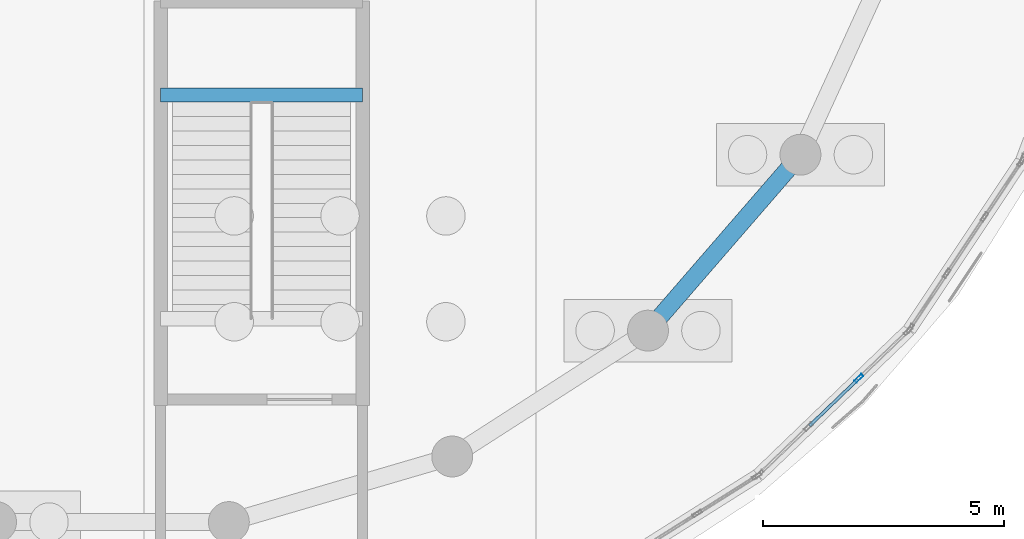
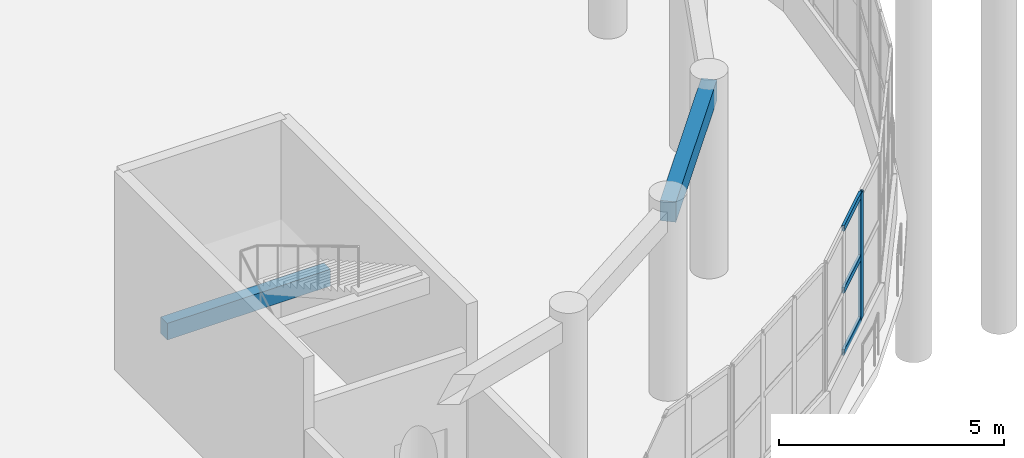
# One storey, part 28 of 96: 4 members, 2 beams, 1 element without a shape of its own.
"""IFC4 building model written with IfcOpenShell, lengths in metres."""

from ifc_helpers import new_model, si_unit, direction, frame, origin, origin_2d, place, context, subcontext, project, spatial, rectangle, hollow_rectangle, extrude, material, layer, layer_set, material_profile, profile_set, type_object, element, aggregate, save


model = new_model("IFC4")

# Units and contexts
model_context = context("Model", 3, precision=1e-05, world=origin(), true_north=direction((0.0, 1.0)))
body_context = subcontext(model_context, "Body", "Model", "MODEL_VIEW")
ifc_project = project(units=[si_unit("LENGTHUNIT", "METRE"), si_unit("AREAUNIT", "SQUARE_METRE"), si_unit("VOLUMEUNIT", "CUBIC_METRE"), si_unit("PLANEANGLEUNIT", "RADIAN"), si_unit("MASSUNIT", "GRAM", prefix="KILO")], contexts=[model_context])

# Site, building, storey
site_placement = place(None, origin())
site = spatial("IfcSite", under=ifc_project, at=site_placement, CompositionType="ELEMENT")
building_placement = place(site_placement, origin())
building = spatial("IfcBuilding", under=site, at=building_placement, Name="Pelvatis Terrace Science Centre", CompositionType="ELEMENT")
storey_placement = place(building_placement, origin())
storey = spatial("IfcBuildingStorey", under=building, at=storey_placement, Name="L00", CompositionType="ELEMENT", Elevation=0.0)

# Beams
ifc_material_1 = material(Name="Concrete C35/45", Category="concrete")
ifc_material_profile_1 = material_profile(ifc_material_1, rectangle(XDim=0.300048828125, YDim=0.449951171875, at=origin_2d()), Name="RC-BM 300x450")
ifc_profile_set_1 = profile_set([ifc_material_profile_1], Name="Concrete C35/45")
beam_type_1 = type_object("IfcBeamType", Name="BM-RC-300x450", PredefinedType="BEAM", material=ifc_profile_set_1)
beam_1_placement = place(storey_placement, frame((79.0, 46.64990234375, 2.260009765625), z_axis=(1.0, 0.0, 0.0), x_axis=(0.0, 1.0, 0.0)))
element("IfcBeam", 1, at=beam_1_placement, inside=storey, type_object=beam_type_1, Name="Stair ST-06 half-landing beam (L00)", PredefinedType="BEAM", context=body_context, shape_type="SweptSolid", body=[
    extrude(rectangle(XDim=0.300048828125, YDim=0.449951171875, at=origin_2d()), origin(), (0.0, 0.0, 1.0), 4.199951171875),
])
ifc_material_2 = material(Name="Concrete C35/45", Category="concrete")
ifc_material_profile_2 = material_profile(ifc_material_2, rectangle(XDim=0.360107421875, YDim=0.550048828125, at=origin_2d()), Name="RC-BM 360x550")
ifc_profile_set_2 = profile_set([ifc_material_profile_2], Name="Concrete C35/45")
beam_type_2 = type_object("IfcBeamType", Name="BM-RC-360x550", PredefinedType="BEAM", material=ifc_profile_set_2)
beam_2_placement = place(storey_placement, frame((89.132568359375, 41.752197265625, 4.864990234375), z_axis=(0.654849858597, 0.75575899776, 0.0), x_axis=(-0.75575899776, 0.654849858597, 0.0)))
element("IfcBeam", 2, at=beam_2_placement, inside=storey, type_object=beam_type_2, Name="Beam BM-L00-2217", PredefinedType="BEAM", context=body_context, shape_type="SweptSolid", body=[
    extrude(rectangle(XDim=0.360107421875, YDim=0.550048828125, at=origin_2d()), origin(), (0.0, 0.0, 1.0), 4.8388671875),
])

# Curtain wall, members
ifc_material_3 = material(Name="Bronze-anodised aluminium and laminated glass", Category="aluminium")
ifc_layer = layer(ifc_material_3, 0.199951171875)
ifc_layer_set = layer_set([ifc_layer], Name="Bronze-anodised aluminium and laminated glass")
curtain_wall_type = type_object("IfcCurtainWallType", Name="CW-RIBBON-B", PredefinedType="NOTDEFINED", material=ifc_layer_set)
curtain_wall_placement = place(storey_placement, origin())
curtain_wall = element("IfcCurtainWall", 3, at=curtain_wall_placement, inside=storey, type_object=curtain_wall_type, Name="Ribbon curtain wall CW-056 (L00)", PredefinedType="NOTDEFINED")
ifc_material_4 = material(Name="Bronze-anodised aluminium 6063-T6", Category="aluminium")
ifc_material_profile_3 = material_profile(ifc_material_4, hollow_rectangle(XDim=0.06494140625, YDim=0.199951171875, WallThickness=0.00439453125, at=origin_2d()), Name="ALU-MUL 65x200")
ifc_profile_set_3 = profile_set([ifc_material_profile_3], Name="Bronze-anodised aluminium 6063-T6")
member_type_1 = type_object("IfcMemberType", Name="CWM-65x200", PredefinedType="MULLION", material=ifc_profile_set_3)
member_1_placement = place(storey_placement, frame((93.515625, 40.76025390625, 1.02001953125), z_axis=(0.0, 0.0, 1.0), x_axis=(-0.693369132291, 0.720582574301, 0.0)))
member_1 = element("IfcMember", 4, at=member_1_placement, type_object=member_type_1, Name="CW-056 mullion 3", PredefinedType="MULLION", context=body_context, shape_type="SweptSolid", body=[
    extrude(hollow_rectangle(XDim=0.06494140625, YDim=0.199951171875, WallThickness=0.00439453125, at=origin_2d()), origin(), (0.0, 0.0, 1.0), 3.43994140625),
])
ifc_material_5 = material(Name="Bronze-anodised aluminium 6063-T6", Category="aluminium")
ifc_material_profile_4 = material_profile(ifc_material_5, hollow_rectangle(XDim=0.06494140625, YDim=0.159912109375, WallThickness=0.00390625, at=origin_2d()), Name="ALU-TRN 65x160")
ifc_profile_set_4 = profile_set([ifc_material_profile_4], Name="Bronze-anodised aluminium 6063-T6")
member_type_2 = type_object("IfcMemberType", Name="CWT-65x160", PredefinedType="USERDEFINED", material=ifc_profile_set_4)
member_2_placement = place(storey_placement, frame((92.4921875, 39.775634765625, 1.052490234375), z_axis=(0.720609903223, 0.693340729639, 0.0), x_axis=(-0.693340729639, 0.720609903223, 0.0)))
member_2 = element("IfcMember", 5, at=member_2_placement, type_object=member_type_2, Name="CW-056 transom 2.1", ObjectType="TRANSOM", PredefinedType="USERDEFINED", context=body_context, shape_type="SweptSolid", body=[
    extrude(hollow_rectangle(XDim=0.06494140625, YDim=0.159912109375, WallThickness=0.00390625, at=origin_2d()), origin(), (0.0, 0.0, 1.0), 1.3876953125),
])
member_3_placement = place(storey_placement, frame((92.4921875, 39.775634765625, 2.739990234375), z_axis=(0.720609903223, 0.693340729639, 0.0), x_axis=(-0.693340729639, 0.720609903223, 0.0)))
member_3 = element("IfcMember", 6, at=member_3_placement, type_object=member_type_2, Name="CW-056 transom 2.2", ObjectType="TRANSOM", PredefinedType="USERDEFINED", context=body_context, shape_type="SweptSolid", body=[
    extrude(hollow_rectangle(XDim=0.06494140625, YDim=0.159912109375, WallThickness=0.00390625, at=origin_2d()), origin(), (0.0, 0.0, 1.0), 1.3876953125),
])
member_4_placement = place(storey_placement, frame((92.4921875, 39.775634765625, 4.427490234375), z_axis=(0.720609903223, 0.693340729639, 0.0), x_axis=(-0.693340729639, 0.720609903223, 0.0)))
member_4 = element("IfcMember", 7, at=member_4_placement, type_object=member_type_2, Name="CW-056 transom 2.3", ObjectType="TRANSOM", PredefinedType="USERDEFINED", context=body_context, shape_type="SweptSolid", body=[
    extrude(hollow_rectangle(XDim=0.06494140625, YDim=0.159912109375, WallThickness=0.00390625, at=origin_2d()), origin(), (0.0, 0.0, 1.0), 1.3876953125),
])
aggregate(curtain_wall, [member_1, member_2, member_3, member_4])

save(model, "model.ifc")
